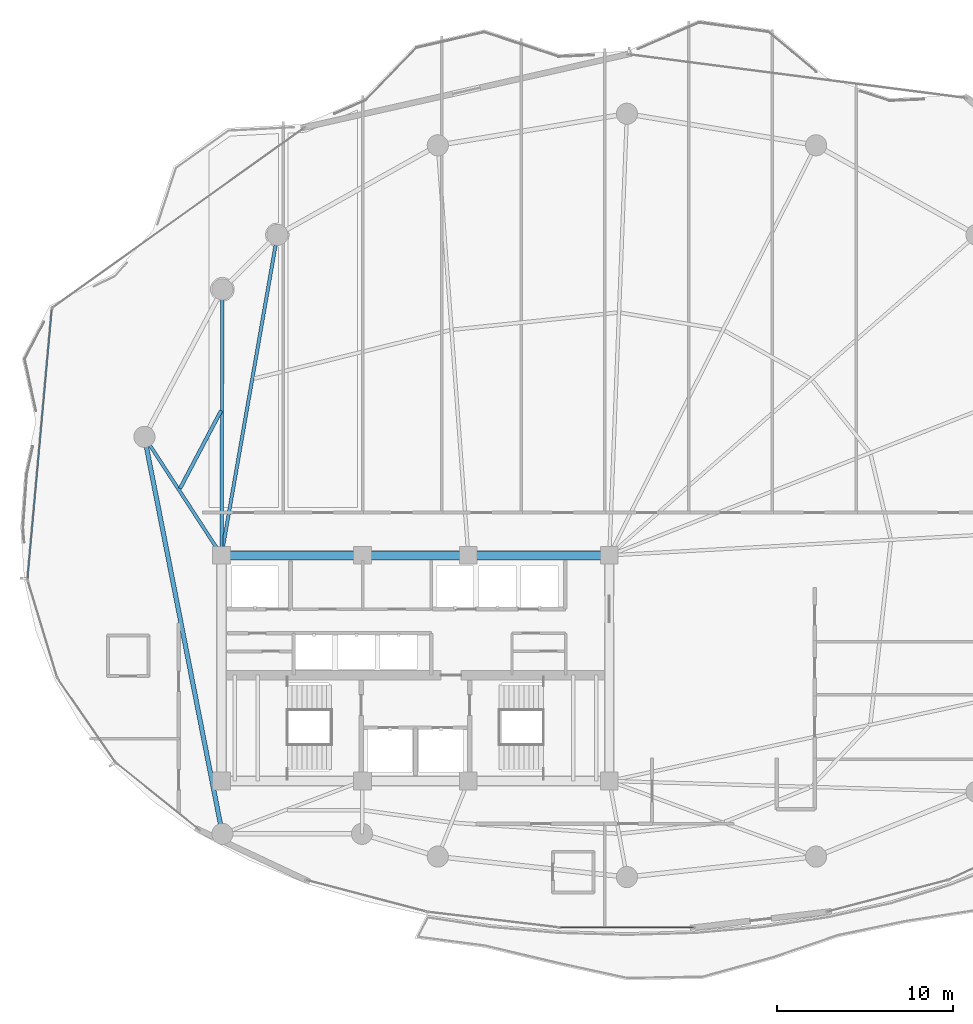
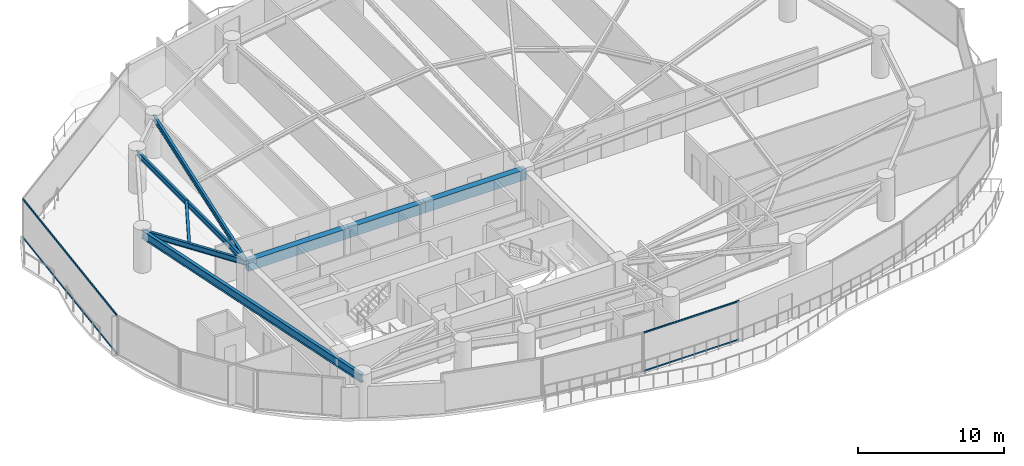
# One storey, part 9 of 33: 8 beams, 4 members, 2 elements without a shape of their own.
"""IFC4 building model written with IfcOpenShell, lengths in metres."""

from ifc_helpers import new_model, si_unit, direction, frame, origin, origin_2d, place, context, subcontext, project, spatial, rectangle, hollow_rectangle, i_section, extrude, material, layer, layer_set, material_profile, profile_set, type_object, element, aggregate, save


model = new_model("IFC4")

# Units and contexts
model_context = context("Model", 3, precision=1e-05, world=origin(), true_north=direction((0.0, 1.0)))
body_context = subcontext(model_context, "Body", "Model", "MODEL_VIEW")
ifc_project = project(units=[si_unit("LENGTHUNIT", "METRE"), si_unit("AREAUNIT", "SQUARE_METRE"), si_unit("VOLUMEUNIT", "CUBIC_METRE"), si_unit("PLANEANGLEUNIT", "RADIAN"), si_unit("MASSUNIT", "GRAM", prefix="KILO")], contexts=[model_context])

# Site, building, storey
site_placement = place(None, origin())
site = spatial("IfcSite", under=ifc_project, at=site_placement, CompositionType="ELEMENT")
building_placement = place(site_placement, origin())
building = spatial("IfcBuilding", under=site, at=building_placement, Name="Kazevale Care Tower and Concert Hall", CompositionType="ELEMENT")
storey_placement = place(building_placement, frame((0.0, 0.0, 178.199951171875)))
storey = spatial("IfcBuildingStorey", under=building, at=storey_placement, Name="L47", CompositionType="ELEMENT", Elevation=178.199951171875)

# Curtain wall, members
ifc_material_1 = material(Name="Aluminium 6063-T6 and Low-E Glass", Category="aluminium")
ifc_layer_1 = layer(ifc_material_1, 0.179931640625)
ifc_layer_set_1 = layer_set([ifc_layer_1], Name="Aluminium 6063-T6 and Low-E Glass")
curtain_wall_type_1 = type_object("IfcCurtainWallType", Name="Waist & Upper Residential Curtain Wall CW-4", PredefinedType="NOTDEFINED", material=ifc_layer_set_1)
curtain_wall_1_placement = place(storey_placement, origin())
curtain_wall_1 = element("IfcCurtainWall", 1, at=curtain_wall_1_placement, inside=storey, type_object=curtain_wall_type_1, Name="cw:L47:f13", PredefinedType="NOTDEFINED")
ifc_material_2 = material(Name="Aluminium 6063-T6", Category="aluminium")
ifc_material_profile_1 = material_profile(ifc_material_2, hollow_rectangle(XDim=0.080078125, YDim=0.139892578125, WallThickness=0.00390625, at=origin_2d()), Name="ALU80x140x4")
ifc_profile_set_1 = profile_set([ifc_material_profile_1], Name="Aluminium 6063-T6")
member_type_1 = type_object("IfcMemberType", Name="CW-4 Transom ALU80x140x4", PredefinedType="USERDEFINED", material=ifc_profile_set_1)
member_1_placement = place(storey_placement, frame((11.002197265625, 35.103759765625, 0.0400390625), z_axis=(0.089684222528, 0.995970250675, 0.0), x_axis=(-0.995970250675, 0.089684222528, 0.0)))
member_1 = element("IfcMember", 2, at=member_1_placement, type_object=member_type_1, Name="CW-4 transom 1.1", ObjectType="TRANSOM", PredefinedType="USERDEFINED", context=body_context, shape_type="SweptSolid", body=[
    extrude(hollow_rectangle(XDim=0.080078125, YDim=0.139892578125, WallThickness=0.00390625, at=origin_2d()), origin(), (0.0, 0.0, 1.0), 15.304443359375),
])
member_2_placement = place(storey_placement, frame((11.002197265625, 35.103759765625, 3.239990234375), z_axis=(0.089684222528, 0.995970250675, 0.0), x_axis=(-0.995970250675, 0.089684222528, 0.0)))
member_2 = element("IfcMember", 3, at=member_2_placement, type_object=member_type_1, Name="CW-4 transom 1.2", ObjectType="TRANSOM", PredefinedType="USERDEFINED", context=body_context, shape_type="SweptSolid", body=[
    extrude(hollow_rectangle(XDim=0.080078125, YDim=0.139892578125, WallThickness=0.00390625, at=origin_2d()), origin(), (0.0, 0.0, 1.0), 15.304443359375),
])
aggregate(curtain_wall_1, [member_1, member_2])

ifc_layer_2 = layer(ifc_material_1, 0.179931640625)
ifc_layer_set_2 = layer_set([ifc_layer_2], Name="Aluminium 6063-T6 and Low-E Glass")
curtain_wall_type_2 = type_object("IfcCurtainWallType", Name="Sheltered Concave Balcony Curtain Wall CW-5", PredefinedType="NOTDEFINED", material=ifc_layer_set_2)
curtain_wall_2_placement = place(storey_placement, origin())
curtain_wall_2 = element("IfcCurtainWall", 4, at=curtain_wall_2_placement, inside=storey, type_object=curtain_wall_type_2, Name="cw:L47:f06", PredefinedType="NOTDEFINED")
ifc_material_profile_2 = material_profile(ifc_material_2, hollow_rectangle(XDim=0.074951171875, YDim=0.1201171875, WallThickness=0.00390625, at=origin_2d()), Name="ALU75x120x4")
ifc_profile_set_2 = profile_set([ifc_material_profile_2], Name="Aluminium 6063-T6")
member_type_2 = type_object("IfcMemberType", Name="CW-5 Transom ALU75x120x4", PredefinedType="USERDEFINED", material=ifc_profile_set_2)
member_3_placement = place(storey_placement, frame((48.76611328125, 15.2890625, 0.03759765625), z_axis=(-1.0, 0.0, 0.0), x_axis=(0.0, -1.0, 0.0)))
member_3 = element("IfcMember", 5, at=member_3_placement, type_object=member_type_2, Name="CW-5 transom 1.1", ObjectType="TRANSOM", PredefinedType="USERDEFINED", context=body_context, shape_type="SweptSolid", body=[
    extrude(hollow_rectangle(XDim=0.074951171875, YDim=0.1201171875, WallThickness=0.00390625, at=origin_2d()), origin(), (0.0, 0.0, 1.0), 7.5322265625),
])
member_4_placement = place(storey_placement, frame((48.76611328125, 15.2890625, 3.242431640625), z_axis=(-1.0, 0.0, 0.0), x_axis=(0.0, -1.0, 0.0)))
member_4 = element("IfcMember", 6, at=member_4_placement, type_object=member_type_2, Name="CW-5 transom 1.2", ObjectType="TRANSOM", PredefinedType="USERDEFINED", context=body_context, shape_type="SweptSolid", body=[
    extrude(hollow_rectangle(XDim=0.074951171875, YDim=0.1201171875, WallThickness=0.00390625, at=origin_2d()), origin(), (0.0, 0.0, 1.0), 7.5322265625),
])
aggregate(curtain_wall_2, [member_3, member_4])

# Beams
ifc_material_3 = material(Name="Concrete C60", Category="concrete")
ifc_material_profile_3 = material_profile(ifc_material_3, rectangle(XDim=0.5, YDim=0.85009765625, at=origin_2d()), Name="RC-B500x850")
ifc_profile_set_3 = profile_set([ifc_material_profile_3], Name="Concrete C60")
beam_type_1 = type_object("IfcBeamType", Name="Core Coupling Beam RC500x850", PredefinedType="LINTEL", material=ifc_profile_set_3)
beam_1_placement = place(storey_placement, frame((44.0, 36.39990234375, 2.85498046875), z_axis=(-1.0, 0.0, 0.0), x_axis=(0.0, -1.0, 0.0)))
element("IfcBeam", 7, at=beam_1_placement, inside=storey, type_object=beam_type_1, Name="beam:L47:coretie:5", PredefinedType="LINTEL", context=body_context, shape_type="SweptSolid", body=[
    extrude(rectangle(XDim=0.5, YDim=0.85009765625, at=origin_2d()), origin(), (0.0, 0.0, 1.0), 8.0),
])
beam_2_placement = place(storey_placement, frame((36.0, 36.39990234375, 2.85498046875), z_axis=(-1.0, 0.0, 0.0), x_axis=(0.0, -1.0, 0.0)))
element("IfcBeam", 8, at=beam_2_placement, inside=storey, type_object=beam_type_1, Name="beam:L47:coretie:6", PredefinedType="LINTEL", context=body_context, shape_type="SweptSolid", body=[
    extrude(rectangle(XDim=0.5, YDim=0.85009765625, at=origin_2d()), origin(), (0.0, 0.0, 1.0), 6.0),
])
beam_3_placement = place(storey_placement, frame((30.0, 36.39990234375, 2.85498046875), z_axis=(-1.0, 0.0, 0.0), x_axis=(0.0, -1.0, 0.0)))
element("IfcBeam", 9, at=beam_3_placement, inside=storey, type_object=beam_type_1, Name="beam:L47:coretie:7", PredefinedType="LINTEL", context=body_context, shape_type="SweptSolid", body=[
    extrude(rectangle(XDim=0.5, YDim=0.85009765625, at=origin_2d()), origin(), (0.0, 0.0, 1.0), 8.0),
])
ifc_material_4 = material(Name="Steel ASTM A572 Gr 50", Category="steel")
ifc_material_profile_4 = material_profile(ifc_material_4, i_section(OverallWidth=0.19091796875, OverallDepth=0.4599609375, WebThickness=0.010009765625, FlangeThickness=0.01611328125, at=origin_2d()), Name="W460x82")
ifc_profile_set_4 = profile_set([ifc_material_profile_4], Name="Steel ASTM A572 Gr 50")
beam_type_2 = type_object("IfcBeamType", Name="Radial Floor Beam W460x82", PredefinedType="BEAM", material=ifc_profile_set_4)
beam_4_placement = place(storey_placement, frame((22.0, 36.39990234375, 3.050048828125), z_axis=(0.171769935245, 0.985137091651, 0.0), x_axis=(-0.985137091651, 0.171769935245, 0.0)))
element("IfcBeam", 10, at=beam_4_placement, inside=storey, type_object=beam_type_2, Name="beam:L47:rad:07", PredefinedType="BEAM", context=body_context, shape_type="SweptSolid", body=[
    extrude(i_section(OverallWidth=0.19091796875, OverallDepth=0.4599609375, WebThickness=0.010009765625, FlangeThickness=0.01611328125, at=origin_2d()), origin(), (0.0, 0.0, 1.0), 18.454345703125),
])
beam_5_placement = place(storey_placement, frame((22.0, 36.39990234375, 3.050048828125), z_axis=(0.003316650851, 0.999994499898, 0.0), x_axis=(-0.999994499898, 0.003316650851, 0.0)))
element("IfcBeam", 11, at=beam_5_placement, inside=storey, type_object=beam_type_2, Name="beam:L47:rad:08", PredefinedType="BEAM", context=body_context, shape_type="SweptSolid", body=[
    extrude(i_section(OverallWidth=0.19091796875, OverallDepth=0.4599609375, WebThickness=0.010009765625, FlangeThickness=0.01611328125, at=origin_2d()), origin(), (0.0, 0.0, 1.0), 15.090087890625),
])
beam_6_placement = place(storey_placement, frame((22.0, 36.39990234375, 3.050048828125), z_axis=(-0.5451617613, 0.83833087383, 0.0), x_axis=(-0.83833087383, -0.5451617613, 0.0)))
element("IfcBeam", 12, at=beam_6_placement, inside=storey, type_object=beam_type_2, Name="beam:L47:rad:09", PredefinedType="BEAM", context=body_context, shape_type="SweptSolid", body=[
    extrude(i_section(OverallWidth=0.19091796875, OverallDepth=0.4599609375, WebThickness=0.010009765625, FlangeThickness=0.01611328125, at=origin_2d()), origin(), (0.0, 0.0, 1.0), 8.01611328125),
])
ifc_material_profile_5 = material_profile(ifc_material_4, i_section(OverallWidth=0.205078125, OverallDepth=0.35400390625, WebThickness=0.009521484375, FlangeThickness=0.016845703125, at=origin_2d()), Name="W360x79")
ifc_profile_set_5 = profile_set([ifc_material_profile_5], Name="Steel ASTM A572 Gr 50")
beam_type_3 = type_object("IfcBeamType", Name="Secondary Floor Joist W360x79", PredefinedType="JOIST", material=ifc_profile_set_5)
beam_7_placement = place(storey_placement, frame((21.97802734375, 44.60693359375, 3.10302734375), z_axis=(-0.466809583155, -0.884357853515, 0.0), x_axis=(0.884357853515, -0.466809583155, 0.0)))
element("IfcBeam", 13, at=beam_7_placement, inside=storey, type_object=beam_type_3, Name="beam:L47:joist:08", PredefinedType="JOIST", context=body_context, shape_type="SweptSolid", body=[
    extrude(i_section(OverallWidth=0.205078125, OverallDepth=0.35400390625, WebThickness=0.009521484375, FlangeThickness=0.016845703125, at=origin_2d()), origin(), (0.0, 0.0, 1.0), 4.99560546875),
])
ifc_material_profile_6 = material_profile(ifc_material_4, i_section(OverallWidth=0.256103515625, OverallDepth=0.693115234375, WebThickness=0.014404296875, FlangeThickness=0.023681640625, at=origin_2d()), Name="W690x170")
ifc_profile_set_6 = profile_set([ifc_material_profile_6], Name="Steel ASTM A572 Gr 50")
beam_type_4 = type_object("IfcBeamType", Name="Waist Ring Beam W690x170", PredefinedType="BEAM", material=ifc_profile_set_6)
beam_8_placement = place(storey_placement, frame((17.6298828125, 43.1201171875, 2.93359375), z_axis=(0.192602267784, -0.9812769061, 0.0), x_axis=(0.9812769061, 0.192602267784, 0.0)))
element("IfcBeam", 14, at=beam_8_placement, inside=storey, type_object=beam_type_4, Name="beam:L47:ring:09", PredefinedType="BEAM", context=body_context, shape_type="SweptSolid", body=[
    extrude(i_section(OverallWidth=0.256103515625, OverallDepth=0.693115234375, WebThickness=0.014404296875, FlangeThickness=0.023681640625, at=origin_2d()), origin(), (0.0, 0.0, 1.0), 22.94970703125),
])

save(model, "model.ifc")
